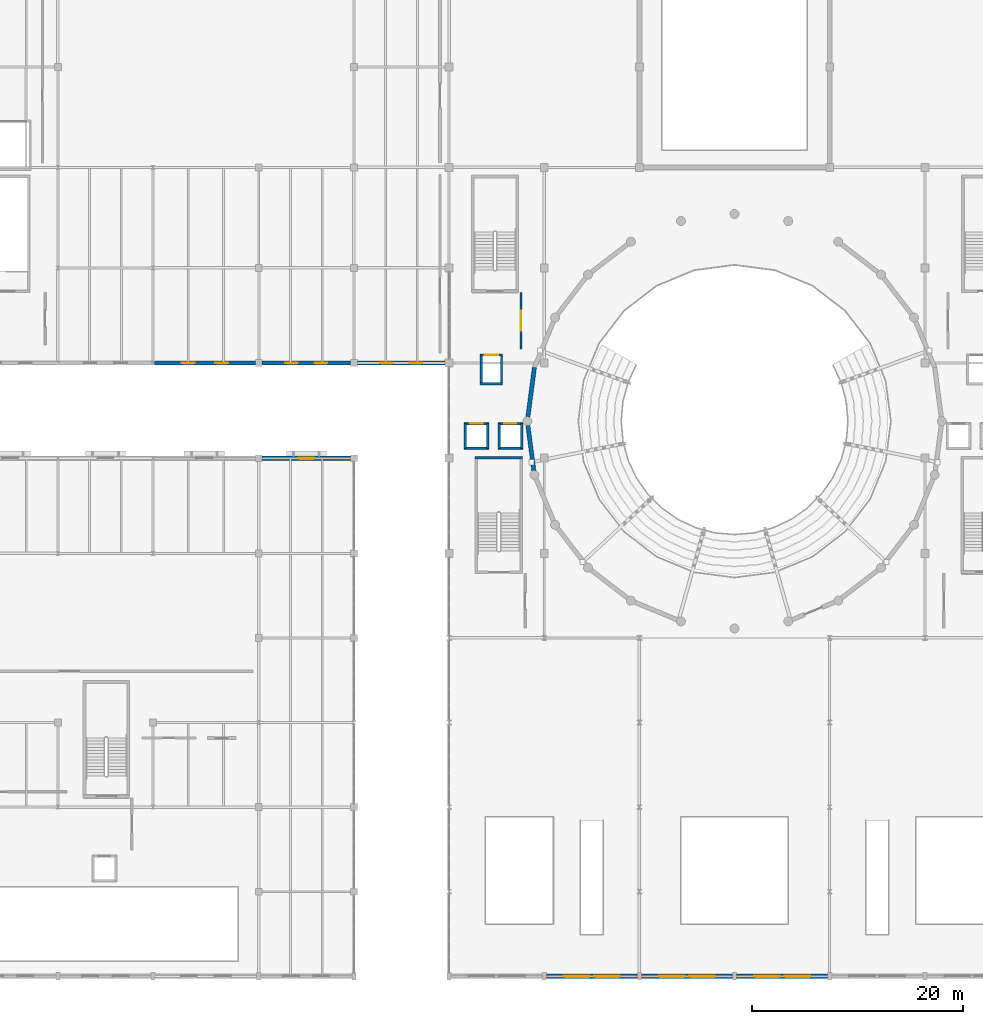
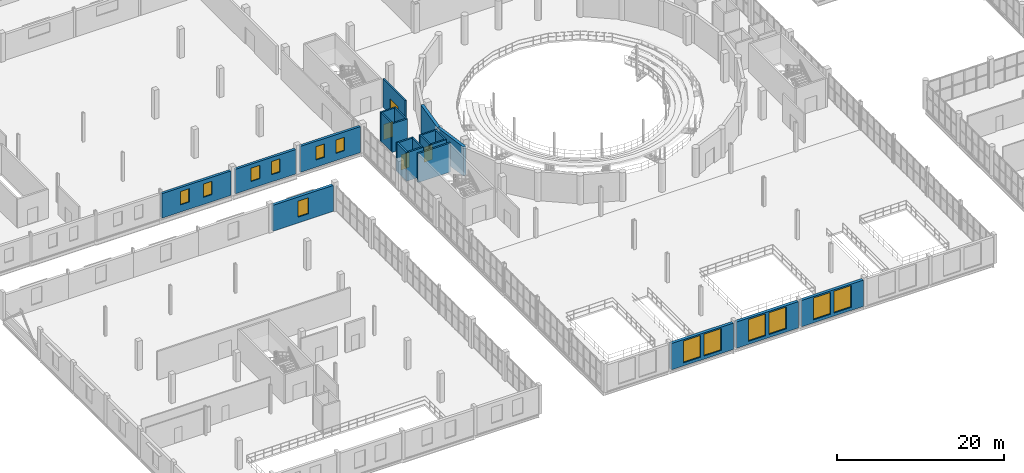
# One storey, part 63 of 85: 23 walls, 13 windows, 4 doors, 17 openings.
"""IFC4 building model written with IfcOpenShell, lengths in metres."""

from ifc_helpers import new_model, si_unit, direction, frame, frame_2d, origin, place, context, subcontext, project, spatial, rectangle, extrude, material, layer, layer_set, type_object, element, fill, save


model = new_model("IFC4")

# Units and contexts
model_context = context("Model", 3, precision=1e-05, world=origin(), true_north=direction((0.0, 1.0)))
body_context = subcontext(model_context, "Body", "Model", "MODEL_VIEW")
ifc_project = project(units=[si_unit("LENGTHUNIT", "METRE"), si_unit("AREAUNIT", "SQUARE_METRE"), si_unit("VOLUMEUNIT", "CUBIC_METRE"), si_unit("PLANEANGLEUNIT", "RADIAN"), si_unit("MASSUNIT", "GRAM", prefix="KILO")], contexts=[model_context])

# Site, building, storey
site_placement = place(None, origin())
site = spatial("IfcSite", under=ifc_project, at=site_placement, CompositionType="ELEMENT")
building_placement = place(site_placement, origin())
building = spatial("IfcBuilding", under=site, at=building_placement, Name="Marnock Terrace Opera House", CompositionType="ELEMENT")
storey_placement = place(building_placement, frame((0.0, 0.0, 10.199951171875)))
storey = spatial("IfcBuildingStorey", under=building, at=storey_placement, Name="L02", CompositionType="ELEMENT", Elevation=10.199951171875)

# Wall, opening, window
ifc_material_1 = material(Name="Basket Range sandstone ashlar masonry", Category="masonry")
ifc_layer_1 = layer(ifc_material_1, 0.389892578125)
ifc_layer_set_1 = layer_set([ifc_layer_1], Name="Basket Range sandstone ashlar masonry")
wall_type_1 = type_object("IfcWallType", Name="EW-ASHLAR-390", PredefinedType="SOLIDWALL", material=ifc_layer_set_1)
wall_1_placement = place(storey_placement, frame((37.321044921875, 57.0, 0.0), z_axis=(0.0, 0.0, 1.0), x_axis=(1.0, 0.0, 0.0)))
wall_1 = element("IfcWall", 1, at=wall_1_placement, inside=storey, type_object=wall_type_1, Name="L02 Volume 3 north sandstone wall 5", PredefinedType="SOLIDWALL", context=body_context, shape_type="SweptSolid", body=[
    extrude(rectangle(XDim=8.35791015625, YDim=0.389892578125, at=frame_2d((4.178955078125, 0.0))), origin(), (0.0, 0.0, 1.0), 3.79736328125),
])
opening_1_placement = place(wall_1_placement, frame((3.428955078125, 0.0, 0.85009765625)))
opening_1 = element("IfcOpeningElement", 2, at=opening_1_placement, cuts=wall_1, Name="Opening WT-84", PredefinedType="OPENING", context=body_context, shape_type="SweptSolid", body=[
    extrude(rectangle(XDim=1.5, YDim=2.35009765625, at=frame_2d((0.75, 1.175048828125))), frame((0.0, 0.204833984375, 0.0), z_axis=(0.0, -1.0, 0.0), x_axis=(1.0, 0.0, 0.0)), (0.0, 0.0, 1.0), 0.409912109375),
])
ifc_material_2 = material(Name="Double-glazed acoustic low-E laminated glass", Category="glass")
window_type_1 = type_object("IfcWindowType", Name="WT-SUITE-1500", PartitioningType="SINGLE_PANEL", PredefinedType="WINDOW", material=ifc_material_2)
window_1_placement = place(opening_1_placement, origin())
window_1 = element("IfcWindow", 3, at=window_1_placement, inside=storey, type_object=window_type_1, Name="L02 facade window EW-V3N-L02-5.1", OverallHeight=2.35009765625, OverallWidth=1.5, PartitioningType="SINGLE_PANEL", PredefinedType="WINDOW", context=body_context, shape_type="SweptSolid", body=[
    extrude(rectangle(XDim=1.5, YDim=2.35009765625, at=frame_2d((0.75, 1.175048828125))), frame((0.0, 0.030029296875, 0.0), z_axis=(0.0, -1.0, 0.0), x_axis=(1.0, 0.0, 0.0)), (0.0, 0.0, 1.0), 0.06005859375),
])
fill(opening_1, window_1)

# Wall, openings, windows
ifc_layer_2 = layer(ifc_material_1, 0.405029296875)
ifc_layer_set_2 = layer_set([ifc_layer_2], Name="Basket Range sandstone ashlar masonry")
wall_type_2 = type_object("IfcWallType", Name="EW-ASHLAR-405", PredefinedType="SOLIDWALL", material=ifc_layer_set_2)
wall_2_placement = place(storey_placement, frame((64.196044921875, 8.0, 0.0), z_axis=(0.0, 0.0, 1.0), x_axis=(1.0, 0.0, 0.0)))
wall_2 = element("IfcWall", 4, at=wall_2_placement, inside=storey, type_object=wall_type_2, Name="L02 Grand Hall south sandstone arcade bay 2", PredefinedType="SOLIDWALL", context=body_context, shape_type="SweptSolid", body=[
    extrude(rectangle(XDim=8.60791015625, YDim=0.405029296875, at=frame_2d((4.303955078125, 0.0))), origin(), (0.0, 0.0, 1.0), 3.8515625),
])
opening_2_placement = place(wall_2_placement, frame((1.669189453125, 0.0, 0.449951171875)))
opening_2 = element("IfcOpeningElement", 5, at=opening_2_placement, cuts=wall_2, Name="Opening WT-13", PredefinedType="OPENING", context=body_context, shape_type="SweptSolid", body=[
    extrude(rectangle(XDim=2.39990234375, YDim=3.199951171875, at=frame_2d((1.199951171875, 1.60009765625))), frame((0.0, 0.21240234375, 0.0), z_axis=(0.0, -1.0, 0.0), x_axis=(1.0, 0.0, 0.0)), (0.0, 0.0, 1.0), 0.425048828125),
])
opening_3_placement = place(wall_2_placement, frame((4.538818359375, 0.0, 0.449951171875)))
opening_3 = element("IfcOpeningElement", 6, at=opening_3_placement, cuts=wall_2, Name="Opening WT-13", PredefinedType="OPENING", context=body_context, shape_type="SweptSolid", body=[
    extrude(rectangle(XDim=2.39990234375, YDim=3.199951171875, at=frame_2d((1.199951171875, 1.60009765625))), frame((0.0, 0.21240234375, 0.0), z_axis=(0.0, -1.0, 0.0), x_axis=(1.0, 0.0, 0.0)), (0.0, 0.0, 1.0), 0.425048828125),
])
window_type_2 = type_object("IfcWindowType", Name="WT-COLOSSAL-2400", PartitioningType="DOUBLE_PANEL_VERTICAL", PredefinedType="WINDOW", material=ifc_material_2)
window_2_placement = place(opening_2_placement, origin())
window_2 = element("IfcWindow", 7, at=window_2_placement, inside=storey, type_object=window_type_2, Name="L02 facade window EW-V1S-L02-2.1", OverallHeight=3.199951171875, OverallWidth=2.39990234375, PartitioningType="SINGLE_PANEL", PredefinedType="WINDOW", context=body_context, shape_type="SweptSolid", body=[
    extrude(rectangle(XDim=2.39990234375, YDim=3.199951171875, at=frame_2d((1.199951171875, 1.60009765625))), frame((0.0, 0.030029296875, 0.0), z_axis=(0.0, -1.0, 0.0), x_axis=(1.0, 0.0, 0.0)), (0.0, 0.0, 1.0), 0.06005859375),
])
fill(opening_2, window_2)
window_3_placement = place(opening_3_placement, origin())
window_3 = element("IfcWindow", 8, at=window_3_placement, inside=storey, type_object=window_type_2, Name="L02 facade window EW-V1S-L02-2.2", OverallHeight=3.199951171875, OverallWidth=2.39990234375, PartitioningType="SINGLE_PANEL", PredefinedType="WINDOW", context=body_context, shape_type="SweptSolid", body=[
    extrude(rectangle(XDim=2.39990234375, YDim=3.199951171875, at=frame_2d((1.199951171875, 1.60009765625))), frame((0.0, 0.030029296875, 0.0), z_axis=(0.0, -1.0, 0.0), x_axis=(1.0, 0.0, 0.0)), (0.0, 0.0, 1.0), 0.06005859375),
])
fill(opening_3, window_3)

wall_3_placement = place(storey_placement, frame((73.196044921875, 8.0, 0.0), z_axis=(0.0, 0.0, 1.0), x_axis=(1.0, 0.0, 0.0)))
wall_3 = element("IfcWall", 9, at=wall_3_placement, inside=storey, type_object=wall_type_2, Name="L02 Grand Hall south sandstone arcade bay 3", PredefinedType="SOLIDWALL", context=body_context, shape_type="SweptSolid", body=[
    extrude(rectangle(XDim=8.60791015625, YDim=0.405029296875, at=frame_2d((4.303955078125, 0.0))), origin(), (0.0, 0.0, 1.0), 3.8515625),
])
opening_4_placement = place(wall_3_placement, frame((1.669189453125, 0.0, 0.449951171875)))
opening_4 = element("IfcOpeningElement", 10, at=opening_4_placement, cuts=wall_3, Name="Opening WT-13", PredefinedType="OPENING", context=body_context, shape_type="SweptSolid", body=[
    extrude(rectangle(XDim=2.39990234375, YDim=3.199951171875, at=frame_2d((1.199951171875, 1.60009765625))), frame((0.0, 0.21240234375, 0.0), z_axis=(0.0, -1.0, 0.0), x_axis=(1.0, 0.0, 0.0)), (0.0, 0.0, 1.0), 0.425048828125),
])
opening_5_placement = place(wall_3_placement, frame((4.538818359375, 0.0, 0.449951171875)))
opening_5 = element("IfcOpeningElement", 11, at=opening_5_placement, cuts=wall_3, Name="Opening WT-13", PredefinedType="OPENING", context=body_context, shape_type="SweptSolid", body=[
    extrude(rectangle(XDim=2.39990234375, YDim=3.199951171875, at=frame_2d((1.199951171875, 1.60009765625))), frame((0.0, 0.21240234375, 0.0), z_axis=(0.0, -1.0, 0.0), x_axis=(1.0, 0.0, 0.0)), (0.0, 0.0, 1.0), 0.425048828125),
])
window_4_placement = place(opening_4_placement, origin())
window_4 = element("IfcWindow", 12, at=window_4_placement, inside=storey, type_object=window_type_2, Name="L02 facade window EW-V1S-L02-3.1", OverallHeight=3.199951171875, OverallWidth=2.39990234375, PartitioningType="SINGLE_PANEL", PredefinedType="WINDOW", context=body_context, shape_type="SweptSolid", body=[
    extrude(rectangle(XDim=2.39990234375, YDim=3.199951171875, at=frame_2d((1.199951171875, 1.60009765625))), frame((0.0, 0.030029296875, 0.0), z_axis=(0.0, -1.0, 0.0), x_axis=(1.0, 0.0, 0.0)), (0.0, 0.0, 1.0), 0.06005859375),
])
fill(opening_4, window_4)
window_5_placement = place(opening_5_placement, origin())
window_5 = element("IfcWindow", 13, at=window_5_placement, inside=storey, type_object=window_type_2, Name="L02 facade window EW-V1S-L02-3.2", OverallHeight=3.199951171875, OverallWidth=2.39990234375, PartitioningType="SINGLE_PANEL", PredefinedType="WINDOW", context=body_context, shape_type="SweptSolid", body=[
    extrude(rectangle(XDim=2.39990234375, YDim=3.199951171875, at=frame_2d((1.199951171875, 1.60009765625))), frame((0.0, 0.030029296875, 0.0), z_axis=(0.0, -1.0, 0.0), x_axis=(1.0, 0.0, 0.0)), (0.0, 0.0, 1.0), 0.06005859375),
])
fill(opening_5, window_5)

wall_4_placement = place(storey_placement, frame((82.196044921875, 8.0, 0.0), z_axis=(0.0, 0.0, 1.0), x_axis=(1.0, 0.0, 0.0)))
wall_4 = element("IfcWall", 14, at=wall_4_placement, inside=storey, type_object=wall_type_2, Name="L02 Grand Hall south sandstone arcade bay 4", PredefinedType="SOLIDWALL", context=body_context, shape_type="SweptSolid", body=[
    extrude(rectangle(XDim=8.60791015625, YDim=0.405029296875, at=frame_2d((4.303955078125, 0.0))), origin(), (0.0, 0.0, 1.0), 3.8515625),
])
opening_6_placement = place(wall_4_placement, frame((1.669189453125, 0.0, 0.449951171875)))
opening_6 = element("IfcOpeningElement", 15, at=opening_6_placement, cuts=wall_4, Name="Opening WT-13", PredefinedType="OPENING", context=body_context, shape_type="SweptSolid", body=[
    extrude(rectangle(XDim=2.39990234375, YDim=3.199951171875, at=frame_2d((1.199951171875, 1.60009765625))), frame((0.0, 0.21240234375, 0.0), z_axis=(0.0, -1.0, 0.0), x_axis=(1.0, 0.0, 0.0)), (0.0, 0.0, 1.0), 0.425048828125),
])
opening_7_placement = place(wall_4_placement, frame((4.538818359375, 0.0, 0.449951171875)))
opening_7 = element("IfcOpeningElement", 16, at=opening_7_placement, cuts=wall_4, Name="Opening WT-13", PredefinedType="OPENING", context=body_context, shape_type="SweptSolid", body=[
    extrude(rectangle(XDim=2.39990234375, YDim=3.199951171875, at=frame_2d((1.199951171875, 1.60009765625))), frame((0.0, 0.21240234375, 0.0), z_axis=(0.0, -1.0, 0.0), x_axis=(1.0, 0.0, 0.0)), (0.0, 0.0, 1.0), 0.425048828125),
])
window_6_placement = place(opening_6_placement, origin())
window_6 = element("IfcWindow", 17, at=window_6_placement, inside=storey, type_object=window_type_2, Name="L02 facade window EW-V1S-L02-4.1", OverallHeight=3.199951171875, OverallWidth=2.39990234375, PartitioningType="SINGLE_PANEL", PredefinedType="WINDOW", context=body_context, shape_type="SweptSolid", body=[
    extrude(rectangle(XDim=2.39990234375, YDim=3.199951171875, at=frame_2d((1.199951171875, 1.60009765625))), frame((0.0, 0.030029296875, 0.0), z_axis=(0.0, -1.0, 0.0), x_axis=(1.0, 0.0, 0.0)), (0.0, 0.0, 1.0), 0.06005859375),
])
fill(opening_6, window_6)
window_7_placement = place(opening_7_placement, origin())
window_7 = element("IfcWindow", 18, at=window_7_placement, inside=storey, type_object=window_type_2, Name="L02 facade window EW-V1S-L02-4.2", OverallHeight=3.199951171875, OverallWidth=2.39990234375, PartitioningType="SINGLE_PANEL", PredefinedType="WINDOW", context=body_context, shape_type="SweptSolid", body=[
    extrude(rectangle(XDim=2.39990234375, YDim=3.199951171875, at=frame_2d((1.199951171875, 1.60009765625))), frame((0.0, 0.030029296875, 0.0), z_axis=(0.0, -1.0, 0.0), x_axis=(1.0, 0.0, 0.0)), (0.0, 0.0, 1.0), 0.06005859375),
])
fill(opening_7, window_7)

ifc_material_3 = material(Name="Carey Gully rusticated stone masonry", Category="masonry")
ifc_layer_3 = layer(ifc_material_3, 0.340087890625)
ifc_layer_set_3 = layer_set([ifc_layer_3], Name="Carey Gully rusticated stone masonry")
wall_type_3 = type_object("IfcWallType", Name="EW-WORK-340", PredefinedType="SOLIDWALL", material=ifc_layer_set_3)
wall_5_placement = place(storey_placement, frame((27.1494140625, 66.0, 0.0), z_axis=(0.0, 0.0, 1.0), x_axis=(1.0, 0.0, 0.0)))
wall_5 = element("IfcWall", 19, at=wall_5_placement, inside=storey, type_object=wall_type_3, Name="L02 Workshops south courtyard wall 4", PredefinedType="SOLIDWALL", context=body_context, shape_type="SweptSolid", body=[
    extrude(rectangle(XDim=9.529541015625, YDim=0.340087890625, at=frame_2d((4.7646484375, 0.0))), origin(), (0.0, 0.0, 1.0), 3.58837890625),
])
opening_8_placement = place(wall_5_placement, frame((2.576416015625, 0.0, 1.050048828125)))
opening_8 = element("IfcOpeningElement", 20, at=opening_8_placement, cuts=wall_5, Name="Opening WT-35", PredefinedType="OPENING", context=body_context, shape_type="SweptSolid", body=[
    extrude(rectangle(XDim=1.199951171875, YDim=1.949951171875, at=frame_2d((0.60009765625, 0.97509765625))), frame((0.0, 0.179931640625, 0.0), z_axis=(0.0, -1.0, 0.0), x_axis=(1.0, 0.0, 0.0)), (0.0, 0.0, 1.0), 0.360107421875),
])
opening_9_placement = place(wall_5_placement, frame((5.7529296875, 0.0, 1.050048828125)))
opening_9 = element("IfcOpeningElement", 21, at=opening_9_placement, cuts=wall_5, Name="Opening WT-35", PredefinedType="OPENING", context=body_context, shape_type="SweptSolid", body=[
    extrude(rectangle(XDim=1.199951171875, YDim=1.949951171875, at=frame_2d((0.60009765625, 0.97509765625))), frame((0.0, 0.179931640625, 0.0), z_axis=(0.0, -1.0, 0.0), x_axis=(1.0, 0.0, 0.0)), (0.0, 0.0, 1.0), 0.360107421875),
])
window_type_3 = type_object("IfcWindowType", Name="WT-DRESS-1200", PartitioningType="SINGLE_PANEL", PredefinedType="WINDOW", material=ifc_material_2)
window_8_placement = place(opening_8_placement, origin())
window_8 = element("IfcWindow", 22, at=window_8_placement, inside=storey, type_object=window_type_3, Name="L02 facade window EW-V4S-L02-4.1", OverallHeight=1.949951171875, OverallWidth=1.199951171875, PartitioningType="SINGLE_PANEL", PredefinedType="WINDOW", context=body_context, shape_type="SweptSolid", body=[
    extrude(rectangle(XDim=1.199951171875, YDim=1.949951171875, at=frame_2d((0.60009765625, 0.97509765625))), frame((0.0, 0.030029296875, 0.0), z_axis=(0.0, -1.0, 0.0), x_axis=(1.0, 0.0, 0.0)), (0.0, 0.0, 1.0), 0.06005859375),
])
fill(opening_8, window_8)
window_9_placement = place(opening_9_placement, origin())
window_9 = element("IfcWindow", 23, at=window_9_placement, inside=storey, type_object=window_type_3, Name="L02 facade window EW-V4S-L02-4.2", OverallHeight=1.949951171875, OverallWidth=1.199951171875, PartitioningType="SINGLE_PANEL", PredefinedType="WINDOW", context=body_context, shape_type="SweptSolid", body=[
    extrude(rectangle(XDim=1.199951171875, YDim=1.949951171875, at=frame_2d((0.60009765625, 0.97509765625))), frame((0.0, 0.030029296875, 0.0), z_axis=(0.0, -1.0, 0.0), x_axis=(1.0, 0.0, 0.0)), (0.0, 0.0, 1.0), 0.06005859375),
])
fill(opening_9, window_9)

wall_6_placement = place(storey_placement, frame((37.321044921875, 66.0, 0.0), z_axis=(0.0, 0.0, 1.0), x_axis=(1.0, 0.0, 0.0)))
wall_6 = element("IfcWall", 24, at=wall_6_placement, inside=storey, type_object=wall_type_3, Name="L02 Workshops south courtyard wall 5", PredefinedType="SOLIDWALL", context=body_context, shape_type="SweptSolid", body=[
    extrude(rectangle(XDim=8.35791015625, YDim=0.340087890625, at=frame_2d((4.178955078125, 0.0))), origin(), (0.0, 0.0, 1.0), 3.58837890625),
])
opening_10_placement = place(wall_6_placement, frame((2.18603515625, 0.0, 1.050048828125)))
opening_10 = element("IfcOpeningElement", 25, at=opening_10_placement, cuts=wall_6, Name="Opening WT-35", PredefinedType="OPENING", context=body_context, shape_type="SweptSolid", body=[
    extrude(rectangle(XDim=1.199951171875, YDim=1.949951171875, at=frame_2d((0.60009765625, 0.97509765625))), frame((0.0, 0.179931640625, 0.0), z_axis=(0.0, -1.0, 0.0), x_axis=(1.0, 0.0, 0.0)), (0.0, 0.0, 1.0), 0.360107421875),
])
opening_11_placement = place(wall_6_placement, frame((4.971923828125, 0.0, 1.050048828125)))
opening_11 = element("IfcOpeningElement", 26, at=opening_11_placement, cuts=wall_6, Name="Opening WT-35", PredefinedType="OPENING", context=body_context, shape_type="SweptSolid", body=[
    extrude(rectangle(XDim=1.199951171875, YDim=1.949951171875, at=frame_2d((0.60009765625, 0.97509765625))), frame((0.0, 0.179931640625, 0.0), z_axis=(0.0, -1.0, 0.0), x_axis=(1.0, 0.0, 0.0)), (0.0, 0.0, 1.0), 0.360107421875),
])
window_10_placement = place(opening_10_placement, origin())
window_10 = element("IfcWindow", 27, at=window_10_placement, inside=storey, type_object=window_type_3, Name="L02 facade window EW-V4S-L02-5.1", OverallHeight=1.949951171875, OverallWidth=1.199951171875, PartitioningType="SINGLE_PANEL", PredefinedType="WINDOW", context=body_context, shape_type="SweptSolid", body=[
    extrude(rectangle(XDim=1.199951171875, YDim=1.949951171875, at=frame_2d((0.60009765625, 0.97509765625))), frame((0.0, 0.030029296875, 0.0), z_axis=(0.0, -1.0, 0.0), x_axis=(1.0, 0.0, 0.0)), (0.0, 0.0, 1.0), 0.06005859375),
])
fill(opening_10, window_10)
window_11_placement = place(opening_11_placement, origin())
window_11 = element("IfcWindow", 28, at=window_11_placement, inside=storey, type_object=window_type_3, Name="L02 facade window EW-V4S-L02-5.2", OverallHeight=1.949951171875, OverallWidth=1.199951171875, PartitioningType="SINGLE_PANEL", PredefinedType="WINDOW", context=body_context, shape_type="SweptSolid", body=[
    extrude(rectangle(XDim=1.199951171875, YDim=1.949951171875, at=frame_2d((0.60009765625, 0.97509765625))), frame((0.0, 0.030029296875, 0.0), z_axis=(0.0, -1.0, 0.0), x_axis=(1.0, 0.0, 0.0)), (0.0, 0.0, 1.0), 0.06005859375),
])
fill(opening_11, window_11)

wall_7_placement = place(storey_placement, frame((46.321044921875, 66.0, 0.0), z_axis=(0.0, 0.0, 1.0), x_axis=(1.0, 0.0, 0.0)))
wall_7 = element("IfcWall", 29, at=wall_7_placement, inside=storey, type_object=wall_type_3, Name="L02 Workshops south courtyard wall 6", PredefinedType="SOLIDWALL", context=body_context, shape_type="SweptSolid", body=[
    extrude(rectangle(XDim=8.307861328125, YDim=0.340087890625, at=frame_2d((4.15380859375, 0.0))), origin(), (0.0, 0.0, 1.0), 3.79736328125),
])
opening_12_placement = place(wall_7_placement, frame((2.169189453125, 0.0, 1.050048828125)))
opening_12 = element("IfcOpeningElement", 30, at=opening_12_placement, cuts=wall_7, Name="Opening WT-35", PredefinedType="OPENING", context=body_context, shape_type="SweptSolid", body=[
    extrude(rectangle(XDim=1.199951171875, YDim=1.949951171875, at=frame_2d((0.60009765625, 0.97509765625))), frame((0.0, 0.179931640625, 0.0), z_axis=(0.0, -1.0, 0.0), x_axis=(1.0, 0.0, 0.0)), (0.0, 0.0, 1.0), 0.360107421875),
])
opening_13_placement = place(wall_7_placement, frame((4.938720703125, 0.0, 1.050048828125)))
opening_13 = element("IfcOpeningElement", 31, at=opening_13_placement, cuts=wall_7, Name="Opening WT-35", PredefinedType="OPENING", context=body_context, shape_type="SweptSolid", body=[
    extrude(rectangle(XDim=1.199951171875, YDim=1.949951171875, at=frame_2d((0.60009765625, 0.97509765625))), frame((0.0, 0.179931640625, 0.0), z_axis=(0.0, -1.0, 0.0), x_axis=(1.0, 0.0, 0.0)), (0.0, 0.0, 1.0), 0.360107421875),
])
window_12_placement = place(opening_12_placement, origin())
window_12 = element("IfcWindow", 32, at=window_12_placement, inside=storey, type_object=window_type_3, Name="L02 facade window EW-V4S-L02-6.1", OverallHeight=1.949951171875, OverallWidth=1.199951171875, PartitioningType="SINGLE_PANEL", PredefinedType="WINDOW", context=body_context, shape_type="SweptSolid", body=[
    extrude(rectangle(XDim=1.199951171875, YDim=1.949951171875, at=frame_2d((0.60009765625, 0.97509765625))), frame((0.0, 0.030029296875, 0.0), z_axis=(0.0, -1.0, 0.0), x_axis=(1.0, 0.0, 0.0)), (0.0, 0.0, 1.0), 0.06005859375),
])
fill(opening_12, window_12)
window_13_placement = place(opening_13_placement, origin())
window_13 = element("IfcWindow", 33, at=window_13_placement, inside=storey, type_object=window_type_3, Name="L02 facade window EW-V4S-L02-6.2", OverallHeight=1.949951171875, OverallWidth=1.199951171875, PartitioningType="SINGLE_PANEL", PredefinedType="WINDOW", context=body_context, shape_type="SweptSolid", body=[
    extrude(rectangle(XDim=1.199951171875, YDim=1.949951171875, at=frame_2d((0.60009765625, 0.97509765625))), frame((0.0, 0.030029296875, 0.0), z_axis=(0.0, -1.0, 0.0), x_axis=(1.0, 0.0, 0.0)), (0.0, 0.0, 1.0), 0.06005859375),
])
fill(opening_13, window_13)

# Wall, opening, door
ifc_material_4 = material(Name="Rendered acoustic concrete blockwork", Category="masonry")
ifc_layer_4 = layer(ifc_material_4, 0.195068359375)
ifc_layer_set_4 = layer_set([ifc_layer_4], Name="Rendered acoustic concrete blockwork")
wall_type_4 = type_object("IfcWallType", Name="IW-FIRE-195", PredefinedType="PARTITIONING", material=ifc_layer_set_4)
wall_8_placement = place(storey_placement, frame((61.800048828125, 67.35009765625, 0.0), z_axis=(0.0, 0.0, 1.0), x_axis=(0.0, 1.0, 0.0)))
wall_8 = element("IfcWall", 34, at=wall_8_placement, inside=storey, type_object=wall_type_4, Name="L02 C3 fire-rated lift and stair lobby wall", PredefinedType="PARTITIONING", context=body_context, shape_type="SweptSolid", body=[
    extrude(rectangle(XDim=5.2998046875, YDim=0.195068359375, at=frame_2d((2.64990234375, 0.0))), origin(), (0.0, 0.0, 1.0), 4.18994140625),
])
opening_14_placement = place(wall_8_placement, frame((1.699951171875, 0.0, 0.0)))
opening_14 = element("IfcOpeningElement", 35, at=opening_14_placement, cuts=wall_8, Name="Opening FD-C3-L02", PredefinedType="OPENING", context=body_context, shape_type="SweptSolid", body=[
    extrude(rectangle(XDim=1.89990234375, YDim=2.300048828125, at=frame_2d((0.949951171875, 1.14990234375))), frame((0.0, 0.107421875, 0.0), z_axis=(0.0, -1.0, 0.0), x_axis=(1.0, 0.0, 0.0)), (0.0, 0.0, 1.0), 0.215087890625),
])
ifc_material_5 = material(Name="Fire-rated acoustic timber-core door assembly", Category="wood")
door_type_1 = type_object("IfcDoorType", Name="DT-LOBBY-1900", OperationType="NOTDEFINED", PredefinedType="DOOR", material=ifc_material_5)
door_1_placement = place(opening_14_placement, origin())
door_1 = element("IfcDoor", 36, at=door_1_placement, inside=storey, type_object=door_type_1, Name="L02 C3 lobby self-closing smoke door", OperationType="SINGLE_SWING_RIGHT", OverallHeight=2.300048828125, OverallWidth=1.89990234375, PredefinedType="DOOR", context=body_context, shape_type="SweptSolid", body=[
    extrude(rectangle(XDim=1.89990234375, YDim=2.300048828125, at=frame_2d((0.949951171875, 1.14990234375))), frame((0.0, 0.02490234375, 0.0), z_axis=(0.0, -1.0, 0.0), x_axis=(1.0, 0.0, 0.0)), (0.0, 0.0, 1.0), 0.050048828125),
])
fill(opening_14, door_1)

ifc_layer_5 = layer(ifc_material_4, 0.22509765625)
ifc_layer_set_5 = layer_set([ifc_layer_5], Name="Rendered acoustic concrete blockwork")
wall_type_5 = type_object("IfcWallType", Name="IW-SHAFT-225", PredefinedType="SOLIDWALL", material=ifc_layer_set_5)
wall_9_placement = place(storey_placement, frame((56.427490234375, 60.260009765625, 0.0), z_axis=(0.0, 0.0, 1.0), x_axis=(1.0, 0.0, 0.0)))
wall_9 = element("IfcWall", 37, at=wall_9_placement, inside=storey, type_object=wall_type_5, Name="L02 Lift PL-01 front shaft wall", PredefinedType="SOLIDWALL", context=body_context, shape_type="SweptSolid", body=[
    extrude(rectangle(XDim=2.344970703125, YDim=0.22509765625, at=frame_2d((1.17236328125, 0.0))), origin(), (0.0, 0.0, 1.0), 4.18994140625),
])
opening_15_placement = place(wall_9_placement, frame((0.597412109375, 0.0, 0.0)))
opening_15 = element("IfcOpeningElement", 38, at=opening_15_placement, cuts=wall_9, Name="Opening LD-PL-01-L02", PredefinedType="OPENING", context=body_context, shape_type="SweptSolid", body=[
    extrude(rectangle(XDim=1.14990234375, YDim=2.199951171875, at=frame_2d((0.574951171875, 1.10009765625))), frame((0.0, 0.12255859375, 0.0), z_axis=(0.0, -1.0, 0.0), x_axis=(1.0, 0.0, 0.0)), (0.0, 0.0, 1.0), 0.2451171875),
])
ifc_material_6 = material(Name="Brushed stainless steel landing door assembly", Category="steel")
door_type_2 = type_object("IfcDoorType", Name="DT-LIFT-1150", OperationType="NOTDEFINED", PredefinedType="DOOR", material=ifc_material_6)
door_2_placement = place(opening_15_placement, origin())
door_2 = element("IfcDoor", 39, at=door_2_placement, inside=storey, type_object=door_type_2, Name="L02 Lift PL-01 sliding landing door", OperationType="DOUBLE_DOOR_SLIDING", OverallHeight=2.199951171875, OverallWidth=1.14990234375, PredefinedType="DOOR", context=body_context, shape_type="SweptSolid", body=[
    extrude(rectangle(XDim=1.14990234375, YDim=2.199951171875, at=frame_2d((0.574951171875, 1.10009765625))), frame((0.0, 0.02490234375, 0.0), z_axis=(0.0, -1.0, 0.0), x_axis=(1.0, 0.0, 0.0)), (0.0, 0.0, 1.0), 0.050048828125),
])
fill(opening_15, door_2)

# Walls
wall_10_placement = place(storey_placement, frame((56.427490234375, 57.93994140625, 0.0), z_axis=(0.0, 0.0, 1.0), x_axis=(1.0, 0.0, 0.0)))
element("IfcWall", 40, at=wall_10_placement, inside=storey, type_object=wall_type_5, Name="L02 Lift PL-01 rear shaft wall", PredefinedType="SOLIDWALL", context=body_context, shape_type="SweptSolid", body=[
    extrude(rectangle(XDim=2.344970703125, YDim=0.22509765625, at=frame_2d((1.17236328125, 0.0))), origin(), (0.0, 0.0, 1.0), 4.18994140625),
])
for number, where, z_axis, x_axis, name in (
    (41, (56.5400390625, 57.93994140625, 0.0), (0.0, 0.0, 1.0), (0.0, 1.0, 0.0), "L02 Lift PL-01 west shaft wall"),
    (42, (58.659912109375, 57.93994140625, 0.0), (0.0, 0.0, 1.0), (0.0, 1.0, 0.0), "L02 Lift PL-01 east shaft wall"),
):
    element("IfcWall", number, at=place(storey_placement, frame(where, z_axis=z_axis, x_axis=x_axis)), inside=storey, type_object=wall_type_5, Name=name, PredefinedType="SOLIDWALL", context=body_context, shape_type="SweptSolid", body=[
        extrude(rectangle(XDim=2.320068359375, YDim=0.22509765625, at=frame_2d((1.16015625, 0.0))), origin(), (0.0, 0.0, 1.0), 4.18994140625),
    ])

# Wall, opening, door
wall_11_placement = place(storey_placement, frame((59.62744140625, 60.260009765625, 0.0), z_axis=(0.0, 0.0, 1.0), x_axis=(1.0, 0.0, 0.0)))
wall_11 = element("IfcWall", 43, at=wall_11_placement, inside=storey, type_object=wall_type_5, Name="L02 Lift PL-02 front shaft wall", PredefinedType="SOLIDWALL", context=body_context, shape_type="SweptSolid", body=[
    extrude(rectangle(XDim=2.344970703125, YDim=0.22509765625, at=frame_2d((1.17236328125, 0.0))), origin(), (0.0, 0.0, 1.0), 4.18994140625),
])
opening_16_placement = place(wall_11_placement, frame((0.597412109375, 0.0, 0.0)))
opening_16 = element("IfcOpeningElement", 44, at=opening_16_placement, cuts=wall_11, Name="Opening LD-PL-02-L02", PredefinedType="OPENING", context=body_context, shape_type="SweptSolid", body=[
    extrude(rectangle(XDim=1.14990234375, YDim=2.199951171875, at=frame_2d((0.574951171875, 1.10009765625))), frame((0.0, 0.12255859375, 0.0), z_axis=(0.0, -1.0, 0.0), x_axis=(1.0, 0.0, 0.0)), (0.0, 0.0, 1.0), 0.2451171875),
])
door_3_placement = place(opening_16_placement, origin())
door_3 = element("IfcDoor", 45, at=door_3_placement, inside=storey, type_object=door_type_2, Name="L02 Lift PL-02 sliding landing door", OperationType="DOUBLE_DOOR_SLIDING", OverallHeight=2.199951171875, OverallWidth=1.14990234375, PredefinedType="DOOR", context=body_context, shape_type="SweptSolid", body=[
    extrude(rectangle(XDim=1.14990234375, YDim=2.199951171875, at=frame_2d((0.574951171875, 1.10009765625))), frame((0.0, 0.02490234375, 0.0), z_axis=(0.0, -1.0, 0.0), x_axis=(1.0, 0.0, 0.0)), (0.0, 0.0, 1.0), 0.050048828125),
])
fill(opening_16, door_3)

# Walls
wall_12_placement = place(storey_placement, frame((59.62744140625, 57.93994140625, 0.0), z_axis=(0.0, 0.0, 1.0), x_axis=(1.0, 0.0, 0.0)))
element("IfcWall", 46, at=wall_12_placement, inside=storey, type_object=wall_type_5, Name="L02 Lift PL-02 rear shaft wall", PredefinedType="SOLIDWALL", context=body_context, shape_type="SweptSolid", body=[
    extrude(rectangle(XDim=2.344970703125, YDim=0.22509765625, at=frame_2d((1.17236328125, 0.0))), origin(), (0.0, 0.0, 1.0), 4.18994140625),
])
for number, where, z_axis, x_axis, name in (
    (47, (59.739990234375, 57.93994140625, 0.0), (0.0, 0.0, 1.0), (0.0, 1.0, 0.0), "L02 Lift PL-02 west shaft wall"),
    (48, (61.860107421875, 57.93994140625, 0.0), (0.0, 0.0, 1.0), (0.0, 1.0, 0.0), "L02 Lift PL-02 east shaft wall"),
):
    element("IfcWall", number, at=place(storey_placement, frame(where, z_axis=z_axis, x_axis=x_axis)), inside=storey, type_object=wall_type_5, Name=name, PredefinedType="SOLIDWALL", context=body_context, shape_type="SweptSolid", body=[
        extrude(rectangle(XDim=2.320068359375, YDim=0.22509765625, at=frame_2d((1.16015625, 0.0))), origin(), (0.0, 0.0, 1.0), 4.18994140625),
    ])

# Wall, opening, door
wall_13_placement = place(storey_placement, frame((57.927490234375, 66.760009765625, 0.0), z_axis=(0.0, 0.0, 1.0), x_axis=(1.0, 0.0, 0.0)))
wall_13 = element("IfcWall", 49, at=wall_13_placement, inside=storey, type_object=wall_type_5, Name="L02 Lift EL-01 front shaft wall", PredefinedType="SOLIDWALL", context=body_context, shape_type="SweptSolid", body=[
    extrude(rectangle(XDim=2.14501953125, YDim=0.22509765625, at=frame_2d((1.072509765625, 0.0))), origin(), (0.0, 0.0, 1.0), 4.18994140625),
])
opening_17_placement = place(wall_13_placement, frame((0.422607421875, 0.0, 0.0)))
opening_17 = element("IfcOpeningElement", 50, at=opening_17_placement, cuts=wall_13, Name="Opening LD-EL-01-L02", PredefinedType="OPENING", context=body_context, shape_type="SweptSolid", body=[
    extrude(rectangle(XDim=1.300048828125, YDim=2.25, at=frame_2d((0.64990234375, 1.125))), frame((0.0, 0.12255859375, 0.0), z_axis=(0.0, -1.0, 0.0), x_axis=(1.0, 0.0, 0.0)), (0.0, 0.0, 1.0), 0.2451171875),
])
door_type_3 = type_object("IfcDoorType", Name="DT-LIFT-1300", OperationType="NOTDEFINED", PredefinedType="DOOR", material=ifc_material_6)
door_4_placement = place(opening_17_placement, origin())
door_4 = element("IfcDoor", 51, at=door_4_placement, inside=storey, type_object=door_type_3, Name="L02 Lift EL-01 sliding landing door", OperationType="DOUBLE_DOOR_SLIDING", OverallHeight=2.25, OverallWidth=1.300048828125, PredefinedType="DOOR", context=body_context, shape_type="SweptSolid", body=[
    extrude(rectangle(XDim=1.300048828125, YDim=2.25, at=frame_2d((0.64990234375, 1.125))), frame((0.0, 0.02490234375, 0.0), z_axis=(0.0, -1.0, 0.0), x_axis=(1.0, 0.0, 0.0)), (0.0, 0.0, 1.0), 0.050048828125),
])
fill(opening_17, door_4)

# Walls
wall_14_placement = place(storey_placement, frame((57.927490234375, 64.0400390625, 0.0), z_axis=(0.0, 0.0, 1.0), x_axis=(1.0, 0.0, 0.0)))
element("IfcWall", 52, at=wall_14_placement, inside=storey, type_object=wall_type_5, Name="L02 Lift EL-01 rear shaft wall", PredefinedType="SOLIDWALL", context=body_context, shape_type="SweptSolid", body=[
    extrude(rectangle(XDim=2.14501953125, YDim=0.22509765625, at=frame_2d((1.072509765625, 0.0))), origin(), (0.0, 0.0, 1.0), 4.18994140625),
])
for number, where, z_axis, x_axis, name in (
    (53, (58.0400390625, 64.0400390625, 0.0), (0.0, 0.0, 1.0), (0.0, 1.0, 0.0), "L02 Lift EL-01 west shaft wall"),
    (54, (59.9599609375, 64.0400390625, 0.0), (0.0, 0.0, 1.0), (0.0, 1.0, 0.0), "L02 Lift EL-01 east shaft wall"),
):
    element("IfcWall", number, at=place(storey_placement, frame(where, z_axis=z_axis, x_axis=x_axis)), inside=storey, type_object=wall_type_5, Name=name, PredefinedType="SOLIDWALL", context=body_context, shape_type="SweptSolid", body=[
        extrude(rectangle(XDim=2.719970703125, YDim=0.22509765625, at=frame_2d((1.35986328125, 0.0))), origin(), (0.0, 0.0, 1.0), 4.18994140625),
    ])
ifc_material_7 = material(Name="Concrete N40 (f'c = 40 MPa)", Category="concrete")
ifc_layer_6 = layer(ifc_material_7, 0.25)
ifc_layer_set_6 = layer_set([ifc_layer_6], Name="Concrete N40 (f'c = 40 MPa)")
wall_type_6 = type_object("IfcWallType", Name="SW-CORE-250", PredefinedType="SHEAR", material=ifc_layer_set_6)
wall_15_placement = place(storey_placement, frame((57.43505859375, 57.0400390625, 0.0), z_axis=(0.0, 0.0, 1.0), x_axis=(1.0, 0.0, 0.0)))
element("IfcWall", 55, at=wall_15_placement, inside=storey, type_object=wall_type_6, Name="L02 Core C1 FRL 120/120/120 shear wall N", PredefinedType="SHEAR", context=body_context, shape_type="SweptSolid", body=[
    extrude(rectangle(XDim=4.530029296875, YDim=0.25, at=frame_2d((2.26513671875, 0.0))), origin(), (0.0, 0.0, 1.0), 4.239990234375),
])
ifc_material_8 = material(Name="Concrete N50 (f'c = 50 MPa)", Category="concrete")
ifc_layer_7 = layer(ifc_material_8, 0.39990234375)
ifc_layer_set_7 = layer_set([ifc_layer_7], Name="Concrete N50 (f'c = 50 MPa)")
wall_type_7 = type_object("IfcWallType", Name="SW-DRUM-400", PredefinedType="SHEAR", material=ifc_layer_set_7)
for number, where, z_axis, x_axis, name in (
    (56, (63.068115234375, 65.572998046875, 0.0), (0.0, 0.0, 1.0), (-0.130591512704, -0.99143625958, 0.0), "L02 cylindrical auditorium drum shear wall 12"),
    (57, (62.39990234375, 60.5, 0.0), (0.0, 0.0, 1.0), (0.130591512704, -0.99143625958, 0.0), "L02 cylindrical auditorium drum shear wall 13"),
):
    element("IfcWall", number, at=place(storey_placement, frame(where, z_axis=z_axis, x_axis=x_axis)), inside=storey, type_object=wall_type_7, Name=name, PredefinedType="SHEAR", context=body_context, shape_type="SweptSolid", body=[
        extrude(rectangle(XDim=5.11669921875, YDim=0.39990234375, at=frame_2d((2.558349609375, 0.0))), origin(), (0.0, 0.0, 1.0), 4.239990234375),
    ])

save(model, "model.ifc")
